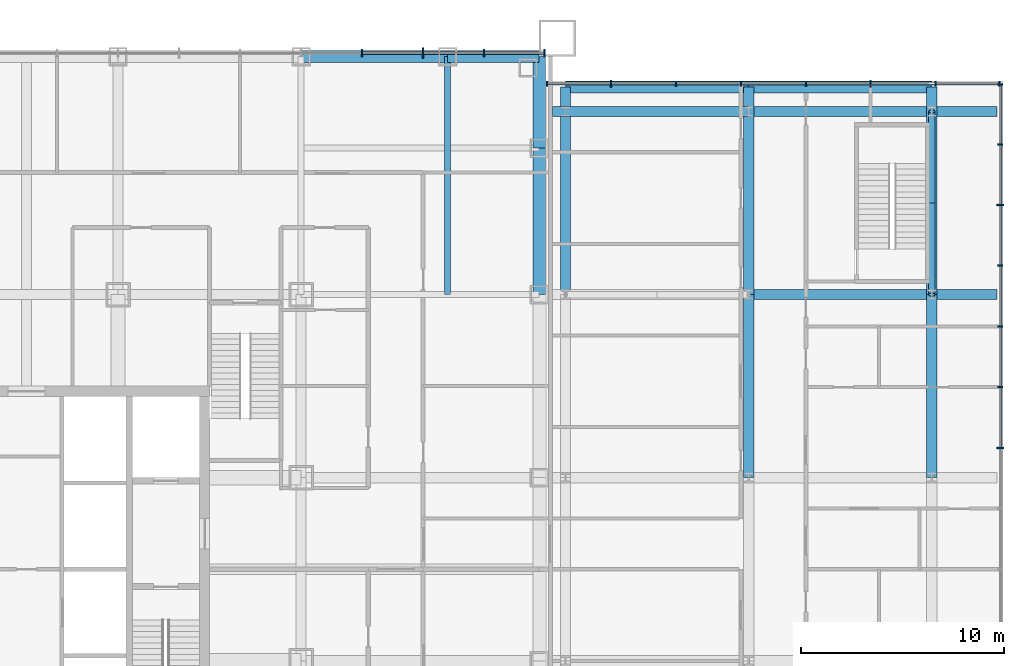
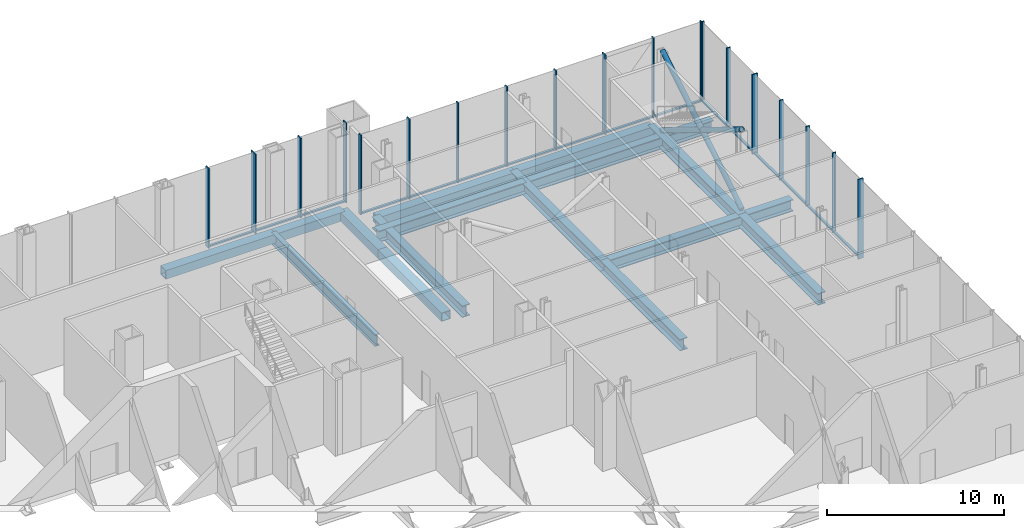
# One storey, part 9 of 25: 37 members, 15 beams, 3 elements without a shape of their own.
"""IFC4 building model written with IfcOpenShell, lengths in metres."""

import ifcopenshell
import ifcopenshell.guid

model = None  # the IFC model being written
_history = None  # IfcOwnerHistory: only IFC2X3 demands one
_inside = {}  # id of a spatial element -> (the spatial element, [elements in it])
_under = {}  # id of a project, library or spatial element -> (it, [spatial elements below it])
_declared = {}  # id of a project -> (the project, [libraries it declares])
_typed = {}  # id of a type object -> (the type object, [elements of that type])
_made_of = {}  # id of a material, layer set ... -> (it, [elements and type objects made of it])


def new_model(schema):
    """Start an empty IFC model of exactly this schema.

    Asked for "IFC4X3", IfcOpenShell would pick the latest addendum, in which some entities
    have other attributes; the version numbers below select the first issue.
    IFC2X3 requires an IfcOwnerHistory on every rooted entity: one is made here for all.
    """
    global model, _history
    if schema == "IFC4X3":
        model = ifcopenshell.file(schema_version=(4, 3, 0, 0))
    else:
        model = ifcopenshell.file(schema=schema)
    _inside.clear()
    _under.clear()
    _declared.clear()
    _typed.clear()
    _made_of.clear()
    _history = None
    if model.schema == "IFC2X3":
        org = make("IfcOrganization", Name="unknown")
        user = make(
            "IfcPersonAndOrganization",
            ThePerson=make("IfcPerson", FamilyName="unknown"),
            TheOrganization=org,
        )
        app = make(
            "IfcApplication",
            ApplicationDeveloper=org,
            Version="unknown",
            ApplicationFullName="unknown",
            ApplicationIdentifier="unknown",
        )
        _history = make(
            "IfcOwnerHistory",
            OwningUser=user,
            OwningApplication=app,
            ChangeAction="ADDED",
            CreationDate=0,
        )
    return model


def make(cls, **values):
    """One entity of the class cls with the attributes given. An attribute that is None is left unset."""
    return model.create_entity(
        cls, **{name: value for name, value in values.items() if value is not None}
    )


def rooted(cls, **values):
    """An entity with a GlobalId (a new one), such as an element, a storey or a relation."""
    return make(cls, GlobalId=ifcopenshell.guid.new(), OwnerHistory=_history, **values)


def si_unit(unit_type, name, prefix=None):
    """IfcSIUnit, for example si_unit("LENGTHUNIT", "METRE", prefix="MILLI")."""
    return make("IfcSIUnit", UnitType=unit_type, Prefix=prefix, Name=name)


def assignment(units):
    """IfcUnitAssignment: the units of a project."""
    return None if units is None else make("IfcUnitAssignment", Units=units)


def point(xyz):
    """IfcCartesianPoint."""
    return None if xyz is None else make("IfcCartesianPoint", Coordinates=xyz)


def direction(xyz):
    """IfcDirection."""
    return None if xyz is None else make("IfcDirection", DirectionRatios=xyz)


def frame(location, z_axis=None, x_axis=None):
    """IfcAxis2Placement3D, a coordinate frame: its origin and axes. An axis left out is left unset."""
    return make(
        "IfcAxis2Placement3D",
        Location=point(location),
        Axis=direction(z_axis),
        RefDirection=direction(x_axis),
    )


def frame_2d(location, x_axis=None):
    """IfcAxis2Placement2D, a coordinate frame in the plane: its origin and x axis."""
    return make(
        "IfcAxis2Placement2D", Location=point(location), RefDirection=direction(x_axis)
    )


def origin():
    """The frame at (0, 0, 0) with its axes left unset."""
    return frame((0.0, 0.0, 0.0))


def origin_2d():
    """The frame at (0, 0) in the plane with its x axis left unset."""
    return frame_2d((0.0, 0.0))


def place(relative_to, where):
    """IfcLocalPlacement: puts the frame where relative to a parent placement (None: the world)."""
    return make(
        "IfcLocalPlacement", PlacementRelTo=relative_to, RelativePlacement=where
    )


def context(
    kind, dimensions, precision=None, world=None, true_north=None, identifier=None
):
    """IfcGeometricRepresentationContext, for example the 3D "Model" context."""
    return make(
        "IfcGeometricRepresentationContext",
        ContextIdentifier=identifier,
        ContextType=kind,
        CoordinateSpaceDimension=dimensions,
        Precision=precision,
        WorldCoordinateSystem=world,
        TrueNorth=true_north,
    )


def subcontext(parent, identifier, kind, view, scale=None):
    """IfcGeometricRepresentationSubContext, for example "Body" below "Model"."""
    return make(
        "IfcGeometricRepresentationSubContext",
        ContextIdentifier=identifier,
        ContextType=kind,
        ParentContext=parent,
        TargetScale=scale,
        TargetView=view,
    )


def project(units=None, contexts=None):
    """IfcProject with its units and contexts."""
    return rooted(
        "IfcProject",
        Name="project",
        RepresentationContexts=contexts,
        UnitsInContext=assignment(units),
    )


def spatial(cls, under=None, at=None, **own):
    """A site, building, storey or space (cls), placed at a placement, below another one or the project."""
    s = rooted(cls, ObjectPlacement=at, **own)
    if under is not None:
        _under.setdefault(under.id(), (under, []))[1].append(s)
    return s


def profile(cls, at=None, kind="AREA", **sizes):
    """A parametric profile (cls). Its sizes go by their IFC names, for example OverallWidth=200.0."""
    return make(cls, ProfileType=kind, Position=at, **sizes)


def rectangle(**sizes):
    """IfcRectangleProfileDef."""
    return profile("IfcRectangleProfileDef", **sizes)


def hollow_rectangle(**sizes):
    """IfcRectangleHollowProfileDef."""
    return profile("IfcRectangleHollowProfileDef", **sizes)


def hollow_circle(**sizes):
    """IfcCircleHollowProfileDef."""
    return profile("IfcCircleHollowProfileDef", **sizes)


def i_section(**sizes):
    """IfcIShapeProfileDef."""
    return profile("IfcIShapeProfileDef", **sizes)


def extrude(swept, where, along, depth):
    """IfcExtrudedAreaSolid: the profile swept, set in the frame where, extruded along a direction by depth."""
    return make(
        "IfcExtrudedAreaSolid",
        SweptArea=swept,
        Position=where,
        ExtrudedDirection=direction(along),
        Depth=depth,
    )


def shape(context_of_items, identifier, shape_type, items):
    """IfcShapeRepresentation: the items that make up one representation, for example the "Body"."""
    return make(
        "IfcShapeRepresentation",
        ContextOfItems=context_of_items,
        RepresentationIdentifier=identifier,
        RepresentationType=shape_type,
        Items=items,
    )


def material(Name=None, Category=None):
    """IfcMaterial."""
    return make("IfcMaterial", Name=Name, Category=Category)


def layer(
    of_material, thickness, ventilated=None, Name=None, Category=None, Priority=None
):
    """IfcMaterialLayer: one layer of a wall or slab, of a material (None: an air gap)."""
    return make(
        "IfcMaterialLayer",
        Material=of_material,
        LayerThickness=thickness,
        IsVentilated=ventilated,
        Name=Name,
        Category=Category,
        Priority=Priority,
    )


def layer_set(layers, Name=None):
    """IfcMaterialLayerSet."""
    return make("IfcMaterialLayerSet", MaterialLayers=layers, LayerSetName=Name)


def material_profile(
    of_material, cross_section, Name=None, Category=None, Priority=None
):
    """IfcMaterialProfile: a cross section and its material."""
    return make(
        "IfcMaterialProfile",
        Name=Name,
        Material=of_material,
        Profile=cross_section,
        Priority=Priority,
        Category=Category,
    )


def profile_set(profiles, Name=None, composite=None):
    """IfcMaterialProfileSet."""
    return make(
        "IfcMaterialProfileSet",
        Name=Name,
        MaterialProfiles=profiles,
        CompositeProfile=composite,
    )


def made_of(thing, what):
    """Note that an element or type object is made of a material, layer set ...; save() writes the relation."""
    if what is not None:
        _made_of.setdefault(what.id(), (what, []))[1].append(thing)
    return thing


def type_object(cls, material=None, **own):
    """A type object (cls), such as IfcWallType, which elements share."""
    return made_of(rooted(cls, **own), material)


def element(
    cls,
    number,
    at=None,
    inside=None,
    cuts=None,
    type_object=None,
    material=None,
    context=None,
    identifier="Body",
    shape_type=None,
    held_by="IfcProductDefinitionShape",
    body=None,
    shapes=None,
    **own,
):
    """One element of the class cls, such as IfcWall. Its Tag is "e" and its number.

    at: its placement. inside: the storey or other place that contains it. cuts: it is an
    opening in that element (IfcRelVoidsElement). A single representation is given by context,
    identifier, shape_type and body (its items); several are given by shapes. held_by: the class
    of the entity that holds the representations. save() writes the other relations.
    """
    e = rooted(cls, Tag="e%d" % number, ObjectPlacement=at, **own)
    if body is not None:
        shapes = [shape(context, identifier, shape_type, body)]
    if shapes is not None:
        e.Representation = make(held_by, Representations=shapes)
    if inside is not None:
        _inside.setdefault(inside.id(), (inside, []))[1].append(e)
    if cuts is not None:
        rooted(
            "IfcRelVoidsElement", RelatingBuildingElement=cuts, RelatedOpeningElement=e
        )
    if type_object is not None:
        _typed.setdefault(type_object.id(), (type_object, []))[1].append(e)
    return made_of(e, material)


def aggregate(whole, parts):
    """IfcRelAggregates: a whole, such as a stair, and the parts it consists of."""
    return rooted("IfcRelAggregates", RelatingObject=whole, RelatedObjects=parts)


def save(model, path):
    """Write the relations noted so far, then the file.

    IfcRelAggregates (storeys below a building ...), IfcRelContainedInSpatialStructure (elements
    in a storey), IfcRelDefinesByType, IfcRelAssociatesMaterial and IfcRelDeclares: one each for
    every whole, place, type object, material and project.
    """
    for whole, parts in _under.values():
        aggregate(whole, parts)
    for where, things in _inside.values():
        rooted(
            "IfcRelContainedInSpatialStructure",
            RelatedElements=things,
            RelatingStructure=where,
        )
    for kind, things in _typed.values():
        rooted("IfcRelDefinesByType", RelatedObjects=things, RelatingType=kind)
    for what, things in _made_of.values():
        rooted("IfcRelAssociatesMaterial", RelatedObjects=things, RelatingMaterial=what)
    for by, libraries in _declared.values():
        rooted("IfcRelDeclares", RelatingContext=by, RelatedDefinitions=libraries)
    model.write(path)


model = new_model("IFC4")

# Units and contexts
model_context = context("Model", 3, precision=1e-05, world=origin(), true_north=direction((0.0, 1.0)))
body_context = subcontext(model_context, "Body", "Model", "MODEL_VIEW")
ifc_project = project(units=[si_unit("LENGTHUNIT", "METRE"), si_unit("AREAUNIT", "SQUARE_METRE"), si_unit("VOLUMEUNIT", "CUBIC_METRE"), si_unit("PLANEANGLEUNIT", "RADIAN"), si_unit("MASSUNIT", "GRAM", prefix="KILO")], contexts=[model_context])

# Site, building, storey
site_placement = place(None, origin())
site = spatial("IfcSite", under=ifc_project, at=site_placement, CompositionType="ELEMENT")
building_placement = place(site_placement, origin())
building = spatial("IfcBuilding", under=site, at=building_placement, Name="Malebo Sky Hospital", CompositionType="ELEMENT")
storey_placement = place(building_placement, frame((0.0, 0.0, 11.0)))
storey = spatial("IfcBuildingStorey", under=building, at=storey_placement, Name="L02", CompositionType="ELEMENT", Elevation=11.0)

# Curtain wall, members
ifc_material_1 = material(Name="Anodised aluminium, natural silver", Category="aluminium")
ifc_layer_1 = layer(ifc_material_1, 0.25)
ifc_layer_set_1 = layer_set([ifc_layer_1], Name="PODIUM ENTRANCE BAY CURTAIN WALL")
curtain_wall_type_1 = type_object("IfcCurtainWallType", Name="PODIUM ENTRANCE BAY CURTAIN WALL", PredefinedType="NOTDEFINED", material=ifc_layer_set_1)
curtain_wall_1_placement = place(storey_placement, origin())
curtain_wall_1 = element("IfcCurtainWall", 1, at=curtain_wall_1_placement, inside=storey, type_object=curtain_wall_type_1, Name="BAY curtain wall BN", PredefinedType="NOTDEFINED")
ifc_material_profile_1 = material_profile(ifc_material_1, rectangle(XDim=0.14990234375, YDim=0.10009765625, at=origin_2d()), Name="ALUMINIUM TRANSOM 150x100")
ifc_profile_set_1 = profile_set([ifc_material_profile_1], Name="Anodised aluminium, natural silver")
member_type_1 = type_object("IfcMemberType", Name="ALUMINIUM TRANSOM 150x100", PredefinedType="USERDEFINED", material=ifc_profile_set_1)
member_1_placement = place(storey_placement, frame((85.425048828125, 87.375, 0.050048828125), z_axis=(-1.0, 0.0, 0.0), x_axis=(0.0, -1.0, 0.0)))
member_1 = element("IfcMember", 2, at=member_1_placement, type_object=member_type_1, Name="Transom 1", ObjectType="TRANSOM", PredefinedType="USERDEFINED", context=body_context, shape_type="SweptSolid", body=[
    extrude(rectangle(XDim=0.14990234375, YDim=0.10009765625, at=origin_2d()), origin(), (0.0, 0.0, 1.0), 2.887451171875),
])
member_2_placement = place(storey_placement, frame((82.46240234375, 87.375, 0.050048828125), z_axis=(-1.0, 0.0, 0.0), x_axis=(0.0, -1.0, 0.0)))
member_2 = element("IfcMember", 3, at=member_2_placement, type_object=member_type_1, Name="Transom 2", ObjectType="TRANSOM", PredefinedType="USERDEFINED", context=body_context, shape_type="SweptSolid", body=[
    extrude(rectangle(XDim=0.14990234375, YDim=0.10009765625, at=origin_2d()), origin(), (0.0, 0.0, 1.0), 2.9248046875),
])
member_3_placement = place(storey_placement, frame((79.46240234375, 87.375, 0.050048828125), z_axis=(-1.0, 0.0, 0.0), x_axis=(0.0, -1.0, 0.0)))
member_3 = element("IfcMember", 4, at=member_3_placement, type_object=member_type_1, Name="Transom 3", ObjectType="TRANSOM", PredefinedType="USERDEFINED", context=body_context, shape_type="SweptSolid", body=[
    extrude(rectangle(XDim=0.14990234375, YDim=0.10009765625, at=origin_2d()), origin(), (0.0, 0.0, 1.0), 2.9248046875),
])

ifc_layer_2 = layer(ifc_material_1, 0.25)
ifc_layer_set_2 = layer_set([ifc_layer_2], Name="PODIUM CURTAIN WALL")
curtain_wall_type_2 = type_object("IfcCurtainWallType", Name="PODIUM CURTAIN WALL", PredefinedType="NOTDEFINED", material=ifc_layer_set_2)
curtain_wall_2_placement = place(storey_placement, origin())
curtain_wall_2 = element("IfcCurtainWall", 5, at=curtain_wall_2_placement, inside=storey, type_object=curtain_wall_type_2, Name="POD curtain wall EE", PredefinedType="NOTDEFINED")
member_4_placement = place(storey_placement, frame((107.875, 68.00634765625, 0.050048828125), z_axis=(0.0, 1.0, 0.0), x_axis=(-1.0, 0.0, 0.0)))
member_4 = element("IfcMember", 6, at=member_4_placement, type_object=member_type_1, Name="Transom 11", ObjectType="TRANSOM", PredefinedType="USERDEFINED", context=body_context, shape_type="SweptSolid", body=[
    extrude(rectangle(XDim=0.14990234375, YDim=0.10009765625, at=origin_2d()), origin(), (0.0, 0.0, 1.0), 2.9091796875),
])
member_5_placement = place(storey_placement, frame((107.875, 70.990478515625, 0.050048828125), z_axis=(0.0, 1.0, 0.0), x_axis=(-1.0, 0.0, 0.0)))
member_5 = element("IfcMember", 7, at=member_5_placement, type_object=member_type_1, Name="Transom 12", ObjectType="TRANSOM", PredefinedType="USERDEFINED", context=body_context, shape_type="SweptSolid", body=[
    extrude(rectangle(XDim=0.14990234375, YDim=0.10009765625, at=origin_2d()), origin(), (0.0, 0.0, 1.0), 2.909423828125),
])
member_6_placement = place(storey_placement, frame((107.875, 73.97509765625, 0.050048828125), z_axis=(0.0, 1.0, 0.0), x_axis=(-1.0, 0.0, 0.0)))
member_6 = element("IfcMember", 8, at=member_6_placement, type_object=member_type_1, Name="Transom 13", ObjectType="TRANSOM", PredefinedType="USERDEFINED", context=body_context, shape_type="SweptSolid", body=[
    extrude(rectangle(XDim=0.14990234375, YDim=0.10009765625, at=origin_2d()), origin(), (0.0, 0.0, 1.0), 2.909423828125),
])
member_7_placement = place(storey_placement, frame((107.875, 76.95947265625, 0.050048828125), z_axis=(0.0, 1.0, 0.0), x_axis=(-1.0, 0.0, 0.0)))
member_7 = element("IfcMember", 9, at=member_7_placement, type_object=member_type_1, Name="Transom 14", ObjectType="TRANSOM", PredefinedType="USERDEFINED", context=body_context, shape_type="SweptSolid", body=[
    extrude(rectangle(XDim=0.14990234375, YDim=0.10009765625, at=origin_2d()), origin(), (0.0, 0.0, 1.0), 2.9091796875),
])
member_8_placement = place(storey_placement, frame((107.875, 79.943603515625, 0.050048828125), z_axis=(0.0, 1.0, 0.0), x_axis=(-1.0, 0.0, 0.0)))
member_8 = element("IfcMember", 10, at=member_8_placement, type_object=member_type_1, Name="Transom 15", ObjectType="TRANSOM", PredefinedType="USERDEFINED", context=body_context, shape_type="SweptSolid", body=[
    extrude(rectangle(XDim=0.14990234375, YDim=0.10009765625, at=origin_2d()), origin(), (0.0, 0.0, 1.0), 2.909423828125),
])
member_9_placement = place(storey_placement, frame((107.875, 82.927978515625, 0.050048828125), z_axis=(0.0, 1.0, 0.0), x_axis=(-1.0, 0.0, 0.0)))
member_9 = element("IfcMember", 11, at=member_9_placement, type_object=member_type_1, Name="Transom 16", ObjectType="TRANSOM", PredefinedType="USERDEFINED", context=body_context, shape_type="SweptSolid", body=[
    extrude(rectangle(XDim=0.14990234375, YDim=0.10009765625, at=origin_2d()), origin(), (0.0, 0.0, 1.0), 2.8720703125),
])

curtain_wall_3_placement = place(storey_placement, origin())
curtain_wall_3 = element("IfcCurtainWall", 12, at=curtain_wall_3_placement, inside=storey, type_object=curtain_wall_type_2, Name="POD curtain wall EN", PredefinedType="NOTDEFINED")
member_10_placement = place(storey_placement, frame((107.800048828125, 85.875, 0.050048828125), z_axis=(-1.0, 0.0, 0.0), x_axis=(0.0, -1.0, 0.0)))
member_10 = element("IfcMember", 13, at=member_10_placement, type_object=member_type_1, Name="Transom 1", ObjectType="TRANSOM", PredefinedType="USERDEFINED", context=body_context, shape_type="SweptSolid", body=[
    extrude(rectangle(XDim=0.14990234375, YDim=0.10009765625, at=origin_2d()), origin(), (0.0, 0.0, 1.0), 3.076904296875),
])
member_11_placement = place(storey_placement, frame((104.648193359375, 85.875, 0.050048828125), z_axis=(-1.0, 0.0, 0.0), x_axis=(0.0, -1.0, 0.0)))
member_11 = element("IfcMember", 14, at=member_11_placement, type_object=member_type_1, Name="Transom 2", ObjectType="TRANSOM", PredefinedType="USERDEFINED", context=body_context, shape_type="SweptSolid", body=[
    extrude(rectangle(XDim=0.14990234375, YDim=0.10009765625, at=origin_2d()), origin(), (0.0, 0.0, 1.0), 3.1142578125),
])
member_12_placement = place(storey_placement, frame((101.458984375, 85.875, 0.050048828125), z_axis=(-1.0, 0.0, 0.0), x_axis=(0.0, -1.0, 0.0)))
member_12 = element("IfcMember", 15, at=member_12_placement, type_object=member_type_1, Name="Transom 3", ObjectType="TRANSOM", PredefinedType="USERDEFINED", context=body_context, shape_type="SweptSolid", body=[
    extrude(rectangle(XDim=0.14990234375, YDim=0.10009765625, at=origin_2d()), origin(), (0.0, 0.0, 1.0), 3.114501953125),
])
member_13_placement = place(storey_placement, frame((98.26953125, 85.875, 0.050048828125), z_axis=(-1.0, 0.0, 0.0), x_axis=(0.0, -1.0, 0.0)))
member_13 = element("IfcMember", 16, at=member_13_placement, type_object=member_type_1, Name="Transom 4", ObjectType="TRANSOM", PredefinedType="USERDEFINED", context=body_context, shape_type="SweptSolid", body=[
    extrude(rectangle(XDim=0.14990234375, YDim=0.10009765625, at=origin_2d()), origin(), (0.0, 0.0, 1.0), 3.114013671875),
])
member_14_placement = place(storey_placement, frame((95.080322265625, 85.875, 0.050048828125), z_axis=(-1.0, 0.0, 0.0), x_axis=(0.0, -1.0, 0.0)))
member_14 = element("IfcMember", 17, at=member_14_placement, type_object=member_type_1, Name="Transom 5", ObjectType="TRANSOM", PredefinedType="USERDEFINED", context=body_context, shape_type="SweptSolid", body=[
    extrude(rectangle(XDim=0.14990234375, YDim=0.10009765625, at=origin_2d()), origin(), (0.0, 0.0, 1.0), 3.1142578125),
])
member_15_placement = place(storey_placement, frame((91.89111328125, 85.875, 0.050048828125), z_axis=(-1.0, 0.0, 0.0), x_axis=(0.0, -1.0, 0.0)))
member_15 = element("IfcMember", 18, at=member_15_placement, type_object=member_type_1, Name="Transom 6", ObjectType="TRANSOM", PredefinedType="USERDEFINED", context=body_context, shape_type="SweptSolid", body=[
    extrude(rectangle(XDim=0.14990234375, YDim=0.10009765625, at=origin_2d()), origin(), (0.0, 0.0, 1.0), 3.1142578125),
])
member_16_placement = place(storey_placement, frame((88.701904296875, 85.875, 0.050048828125), z_axis=(-1.0, 0.0, 0.0), x_axis=(0.0, -1.0, 0.0)))
member_16 = element("IfcMember", 19, at=member_16_placement, type_object=member_type_1, Name="Transom 7", ObjectType="TRANSOM", PredefinedType="USERDEFINED", context=body_context, shape_type="SweptSolid", body=[
    extrude(rectangle(XDim=0.14990234375, YDim=0.10009765625, at=origin_2d()), origin(), (0.0, 0.0, 1.0), 3.076904296875),
])

# Member
ifc_material_profile_2 = material_profile(ifc_material_1, rectangle(XDim=0.074951171875, YDim=0.25, at=origin_2d()), Name="CW3 ALUMINIUM FIN MULLION 75x250")
ifc_profile_set_2 = profile_set([ifc_material_profile_2], Name="Anodised aluminium, natural silver")
member_type_2 = type_object("IfcMemberType", Name="CW3 ALUMINIUM FIN MULLION 75x250", PredefinedType="MULLION", material=ifc_profile_set_2)
member_17_placement = place(storey_placement, frame((107.875, 70.953125, 0.0), z_axis=(0.0, 0.0, 1.0), x_axis=(0.0, 1.0, 0.0)))
member_17 = element("IfcMember", 20, at=member_17_placement, type_object=member_type_2, Name="Fin mullion 12", PredefinedType="MULLION", context=body_context, shape_type="SweptSolid", body=[
    extrude(rectangle(XDim=0.074951171875, YDim=0.25, at=origin_2d()), origin(), (0.0, 0.0, 1.0), 5.5),
])

member_18_placement = place(storey_placement, frame((107.875, 73.9375, 0.0), z_axis=(0.0, 0.0, 1.0), x_axis=(0.0, 1.0, 0.0)))
member_18 = element("IfcMember", 21, at=member_18_placement, type_object=member_type_2, Name="Fin mullion 13", PredefinedType="MULLION", context=body_context, shape_type="SweptSolid", body=[
    extrude(rectangle(XDim=0.074951171875, YDim=0.25, at=origin_2d()), origin(), (0.0, 0.0, 1.0), 5.5),
])

member_19_placement = place(storey_placement, frame((107.875, 76.921875, 0.0), z_axis=(0.0, 0.0, 1.0), x_axis=(0.0, 1.0, 0.0)))
member_19 = element("IfcMember", 22, at=member_19_placement, type_object=member_type_2, Name="Fin mullion 14", PredefinedType="MULLION", context=body_context, shape_type="SweptSolid", body=[
    extrude(rectangle(XDim=0.074951171875, YDim=0.25, at=origin_2d()), origin(), (0.0, 0.0, 1.0), 5.5),
])

member_20_placement = place(storey_placement, frame((107.875, 82.890625, 0.0), z_axis=(0.0, 0.0, 1.0), x_axis=(0.0, 1.0, 0.0)))
member_20 = element("IfcMember", 23, at=member_20_placement, type_object=member_type_2, Name="Fin mullion 16", PredefinedType="MULLION", context=body_context, shape_type="SweptSolid", body=[
    extrude(rectangle(XDim=0.074951171875, YDim=0.25, at=origin_2d()), origin(), (0.0, 0.0, 1.0), 5.5),
])

member_21_placement = place(storey_placement, frame((107.875, 85.83740234375, 0.0), z_axis=(0.0, 0.0, 1.0), x_axis=(0.0, 1.0, 0.0)))
member_21 = element("IfcMember", 24, at=member_21_placement, type_object=member_type_2, Name="Fin mullion 17", PredefinedType="MULLION", context=body_context, shape_type="SweptSolid", body=[
    extrude(rectangle(XDim=0.074951171875, YDim=0.25, at=origin_2d()), origin(), (0.0, 0.0, 1.0), 5.5),
])

member_22_placement = place(storey_placement, frame((107.83740234375, 85.875, 0.0), z_axis=(0.0, 0.0, 1.0), x_axis=(-1.0, 0.0, 0.0)))
member_22 = element("IfcMember", 25, at=member_22_placement, type_object=member_type_2, Name="Fin mullion 1", PredefinedType="MULLION", context=body_context, shape_type="SweptSolid", body=[
    extrude(rectangle(XDim=0.074951171875, YDim=0.25, at=origin_2d()), origin(), (0.0, 0.0, 1.0), 5.5),
])

member_23_placement = place(storey_placement, frame((104.685791015625, 85.875, 0.0), z_axis=(0.0, 0.0, 1.0), x_axis=(-1.0, 0.0, 0.0)))
member_23 = element("IfcMember", 26, at=member_23_placement, type_object=member_type_2, Name="Fin mullion 2", PredefinedType="MULLION", context=body_context, shape_type="SweptSolid", body=[
    extrude(rectangle(XDim=0.074951171875, YDim=0.25, at=origin_2d()), origin(), (0.0, 0.0, 1.0), 5.5),
])

member_24_placement = place(storey_placement, frame((98.30712890625, 85.875, 0.0), z_axis=(0.0, 0.0, 1.0), x_axis=(-1.0, 0.0, 0.0)))
member_24 = element("IfcMember", 27, at=member_24_placement, type_object=member_type_2, Name="Fin mullion 4", PredefinedType="MULLION", context=body_context, shape_type="SweptSolid", body=[
    extrude(rectangle(XDim=0.074951171875, YDim=0.25, at=origin_2d()), origin(), (0.0, 0.0, 1.0), 5.5),
])

member_25_placement = place(storey_placement, frame((95.117919921875, 85.875, 0.0), z_axis=(0.0, 0.0, 1.0), x_axis=(-1.0, 0.0, 0.0)))
member_25 = element("IfcMember", 28, at=member_25_placement, type_object=member_type_2, Name="Fin mullion 5", PredefinedType="MULLION", context=body_context, shape_type="SweptSolid", body=[
    extrude(rectangle(XDim=0.074951171875, YDim=0.25, at=origin_2d()), origin(), (0.0, 0.0, 1.0), 5.5),
])

member_26_placement = place(storey_placement, frame((91.9287109375, 85.875, 0.0), z_axis=(0.0, 0.0, 1.0), x_axis=(-1.0, 0.0, 0.0)))
member_26 = element("IfcMember", 29, at=member_26_placement, type_object=member_type_2, Name="Fin mullion 6", PredefinedType="MULLION", context=body_context, shape_type="SweptSolid", body=[
    extrude(rectangle(XDim=0.074951171875, YDim=0.25, at=origin_2d()), origin(), (0.0, 0.0, 1.0), 5.5),
])

member_27_placement = place(storey_placement, frame((85.58740234375, 85.875, 0.0), z_axis=(0.0, 0.0, 1.0), x_axis=(-1.0, 0.0, 0.0)))
member_27 = element("IfcMember", 30, at=member_27_placement, type_object=member_type_2, Name="Fin mullion 8", PredefinedType="MULLION", context=body_context, shape_type="SweptSolid", body=[
    extrude(rectangle(XDim=0.074951171875, YDim=0.25, at=origin_2d()), origin(), (0.0, 0.0, 1.0), 5.5),
])

ifc_material_profile_3 = material_profile(ifc_material_1, rectangle(XDim=0.074951171875, YDim=0.35009765625, at=origin_2d()), Name="CW3 ALUMINIUM FIN MULLION 75x350")
ifc_profile_set_3 = profile_set([ifc_material_profile_3], Name="Anodised aluminium, natural silver")
member_type_3 = type_object("IfcMemberType", Name="CW3 ALUMINIUM FIN MULLION 75x350", PredefinedType="MULLION", material=ifc_profile_set_3)
member_28_placement = place(storey_placement, frame((107.875, 67.96875, 0.0), z_axis=(0.0, 0.0, 1.0), x_axis=(0.0, 1.0, 0.0)))
member_28 = element("IfcMember", 31, at=member_28_placement, type_object=member_type_3, Name="Fin mullion 11", PredefinedType="MULLION", context=body_context, shape_type="SweptSolid", body=[
    extrude(rectangle(XDim=0.074951171875, YDim=0.35009765625, at=origin_2d()), origin(), (0.0, 0.0, 1.0), 5.5),
])

member_29_placement = place(storey_placement, frame((107.875, 79.90625, 0.0), z_axis=(0.0, 0.0, 1.0), x_axis=(0.0, 1.0, 0.0)))
member_29 = element("IfcMember", 32, at=member_29_placement, type_object=member_type_3, Name="Fin mullion 15", PredefinedType="MULLION", context=body_context, shape_type="SweptSolid", body=[
    extrude(rectangle(XDim=0.074951171875, YDim=0.35009765625, at=origin_2d()), origin(), (0.0, 0.0, 1.0), 5.5),
])

aggregate(curtain_wall_2, [member_28, member_17, member_18, member_19, member_29, member_20, member_21, member_4, member_5, member_6, member_7, member_8, member_9])

member_30_placement = place(storey_placement, frame((101.496337890625, 85.875, 0.0), z_axis=(0.0, 0.0, 1.0), x_axis=(-1.0, 0.0, 0.0)))
member_30 = element("IfcMember", 33, at=member_30_placement, type_object=member_type_3, Name="Fin mullion 3", PredefinedType="MULLION", context=body_context, shape_type="SweptSolid", body=[
    extrude(rectangle(XDim=0.074951171875, YDim=0.35009765625, at=origin_2d()), origin(), (0.0, 0.0, 1.0), 5.5),
])

member_31_placement = place(storey_placement, frame((88.7392578125, 85.875, 0.0), z_axis=(0.0, 0.0, 1.0), x_axis=(-1.0, 0.0, 0.0)))
member_31 = element("IfcMember", 34, at=member_31_placement, type_object=member_type_3, Name="Fin mullion 7", PredefinedType="MULLION", context=body_context, shape_type="SweptSolid", body=[
    extrude(rectangle(XDim=0.074951171875, YDim=0.35009765625, at=origin_2d()), origin(), (0.0, 0.0, 1.0), 5.5),
])

aggregate(curtain_wall_3, [member_22, member_23, member_30, member_24, member_25, member_26, member_31, member_27, member_10, member_11, member_12, member_13, member_14, member_15, member_16])

ifc_material_profile_4 = material_profile(ifc_material_1, rectangle(XDim=0.074951171875, YDim=0.35009765625, at=origin_2d()), Name="CW4 ALUMINIUM FIN MULLION 75x350")
ifc_profile_set_4 = profile_set([ifc_material_profile_4], Name="Anodised aluminium, natural silver")
member_type_4 = type_object("IfcMemberType", Name="CW4 ALUMINIUM FIN MULLION 75x350", PredefinedType="MULLION", material=ifc_profile_set_4)
member_32_placement = place(storey_placement, frame((85.46240234375, 87.375, 0.0), z_axis=(0.0, 0.0, 1.0), x_axis=(-1.0, 0.0, 0.0)))
member_32 = element("IfcMember", 35, at=member_32_placement, type_object=member_type_4, Name="Fin mullion 1", PredefinedType="MULLION", context=body_context, shape_type="SweptSolid", body=[
    extrude(rectangle(XDim=0.074951171875, YDim=0.35009765625, at=origin_2d()), origin(), (0.0, 0.0, 1.0), 5.5),
])

member_33_placement = place(storey_placement, frame((82.5, 87.375, 0.0), z_axis=(0.0, 0.0, 1.0), x_axis=(-1.0, 0.0, 0.0)))
member_33 = element("IfcMember", 36, at=member_33_placement, type_object=member_type_4, Name="Fin mullion 2", PredefinedType="MULLION", context=body_context, shape_type="SweptSolid", body=[
    extrude(rectangle(XDim=0.074951171875, YDim=0.35009765625, at=origin_2d()), origin(), (0.0, 0.0, 1.0), 5.5),
])

member_34_placement = place(storey_placement, frame((76.5, 87.375, 0.0), z_axis=(0.0, 0.0, 1.0), x_axis=(-1.0, 0.0, 0.0)))
member_34 = element("IfcMember", 37, at=member_34_placement, type_object=member_type_4, Name="Fin mullion 4", PredefinedType="MULLION", context=body_context, shape_type="SweptSolid", body=[
    extrude(rectangle(XDim=0.074951171875, YDim=0.35009765625, at=origin_2d()), origin(), (0.0, 0.0, 1.0), 5.5),
])

ifc_material_profile_5 = material_profile(ifc_material_1, rectangle(XDim=0.074951171875, YDim=0.5, at=origin_2d()), Name="CW4 ALUMINIUM FIN MULLION 75x500")
ifc_profile_set_5 = profile_set([ifc_material_profile_5], Name="Anodised aluminium, natural silver")
member_type_5 = type_object("IfcMemberType", Name="CW4 ALUMINIUM FIN MULLION 75x500", PredefinedType="MULLION", material=ifc_profile_set_5)
member_35_placement = place(storey_placement, frame((79.5, 87.375, 0.0), z_axis=(0.0, 0.0, 1.0), x_axis=(-1.0, 0.0, 0.0)))
member_35 = element("IfcMember", 38, at=member_35_placement, type_object=member_type_5, Name="Fin mullion 3", PredefinedType="MULLION", context=body_context, shape_type="SweptSolid", body=[
    extrude(rectangle(XDim=0.074951171875, YDim=0.5, at=origin_2d()), origin(), (0.0, 0.0, 1.0), 5.5),
])

aggregate(curtain_wall_1, [member_32, member_33, member_35, member_34, member_1, member_2, member_3])

# Beams
ifc_material_2 = material(Name="Steel S460", Category="steel")
ifc_material_profile_6 = material_profile(ifc_material_2, hollow_rectangle(XDim=0.60009765625, YDim=0.60009765625, WallThickness=0.0400390625, at=origin_2d()), Name="BOX 600x600x40")
ifc_profile_set_6 = profile_set([ifc_material_profile_6], Name="Steel S460")
beam_type_1 = type_object("IfcBeamType", Name="EDGE BEAM BOX 600x600x40", PredefinedType="BEAM", material=ifc_profile_set_6)
beam_1_placement = place(storey_placement, frame((85.199951171875, 75.5, -0.60009765625), z_axis=(0.0, 1.0, 0.0), x_axis=(-1.0, 0.0, 0.0)))
element("IfcBeam", 39, at=beam_1_placement, inside=storey, type_object=beam_type_1, Name="Beam 036 L02", PredefinedType="BEAM", context=body_context, shape_type="SweptSolid", body=[
    extrude(hollow_rectangle(XDim=0.60009765625, YDim=0.60009765625, WallThickness=0.0400390625, at=origin_2d()), origin(), (0.0, 0.0, 1.0), 7.199951171875),
])
beam_2_placement = place(storey_placement, frame((85.199951171875, 82.699951171875, -0.60009765625), z_axis=(0.0, 1.0, 0.0), x_axis=(-1.0, 0.0, 0.0)))
element("IfcBeam", 40, at=beam_2_placement, inside=storey, type_object=beam_type_1, Name="Beam 037 L02", PredefinedType="BEAM", context=body_context, shape_type="SweptSolid", body=[
    extrude(hollow_rectangle(XDim=0.60009765625, YDim=0.60009765625, WallThickness=0.0400390625, at=origin_2d()), origin(), (0.0, 0.0, 1.0), 4.5),
])
beam_3_placement = place(storey_placement, frame((73.5, 87.199951171875, -0.60009765625), z_axis=(1.0, 0.0, 0.0), x_axis=(0.0, 1.0, 0.0)))
element("IfcBeam", 41, at=beam_3_placement, inside=storey, type_object=beam_type_1, Name="Beam 074 L02", PredefinedType="BEAM", context=body_context, shape_type="SweptSolid", body=[
    extrude(hollow_rectangle(XDim=0.60009765625, YDim=0.60009765625, WallThickness=0.0400390625, at=origin_2d()), origin(), (0.0, 0.0, 1.0), 7.199951171875),
])
beam_4_placement = place(storey_placement, frame((80.699951171875, 87.199951171875, -0.60009765625), z_axis=(1.0, 0.0, 0.0), x_axis=(0.0, 1.0, 0.0)))
element("IfcBeam", 42, at=beam_4_placement, inside=storey, type_object=beam_type_1, Name="Beam 075 L02", PredefinedType="BEAM", context=body_context, shape_type="SweptSolid", body=[
    extrude(hollow_rectangle(XDim=0.60009765625, YDim=0.60009765625, WallThickness=0.0400390625, at=origin_2d()), origin(), (0.0, 0.0, 1.0), 4.5),
])
for number, where, z_axis, x_axis, name in (
    (43, (86.5, 85.699951171875, -0.60009765625), (1.0, 0.0, 0.0), (0.0, 1.0, 0.0), "Beam E030 L02"),
    (44, (95.5, 85.699951171875, -0.60009765625), (1.0, 0.0, 0.0), (0.0, 1.0, 0.0), "Beam E031 L02"),
):
    element("IfcBeam", number, at=place(storey_placement, frame(where, z_axis=z_axis, x_axis=x_axis)), inside=storey, type_object=beam_type_1, Name=name, PredefinedType="BEAM", context=body_context, shape_type="SweptSolid", body=[
        extrude(hollow_rectangle(XDim=0.60009765625, YDim=0.60009765625, WallThickness=0.0400390625, at=origin_2d()), origin(), (0.0, 0.0, 1.0), 9.0),
    ])
ifc_material_3 = material(Name="Steel S355", Category="steel")
ifc_material_profile_7 = material_profile(ifc_material_3, i_section(OverallWidth=0.300048828125, OverallDepth=0.800048828125, WebThickness=0.017578125, FlangeThickness=0.032958984375, FilletRadius=0.030029296875, at=origin_2d()), Name="HEB 800")
ifc_profile_set_7 = profile_set([ifc_material_profile_7], Name="Steel S355")
beam_type_2 = type_object("IfcBeamType", Name="FLOOR BEAM HEB 800", PredefinedType="BEAM", material=ifc_profile_set_7)
beam_5_placement = place(storey_placement, frame((80.699951171875, 75.5, -0.699951171875), z_axis=(0.0, 1.0, 0.0), x_axis=(-1.0, 0.0, 0.0)))
element("IfcBeam", 45, at=beam_5_placement, inside=storey, type_object=beam_type_2, Name="Beam 030 L02", PredefinedType="BEAM", context=body_context, shape_type="SweptSolid", body=[
    extrude(i_section(OverallWidth=0.300048828125, OverallDepth=0.800048828125, WebThickness=0.017578125, FlangeThickness=0.032958984375, FilletRadius=0.030029296875, at=origin_2d()), origin(), (0.0, 0.0, 1.0), 11.699951171875),
])
ifc_material_profile_8 = material_profile(ifc_material_3, i_section(OverallWidth=0.5, OverallDepth=0.800048828125, WebThickness=0.030029296875, FlangeThickness=0.050048828125, at=origin_2d()), Name="PG 800x500x30x50")
ifc_profile_set_8 = profile_set([ifc_material_profile_8], Name="Steel S355")
beam_type_3 = type_object("IfcBeamType", Name="FLOOR BEAM PG 800x500x30x50", PredefinedType="BEAM", material=ifc_profile_set_8)
beam_6_placement = place(storey_placement, frame((86.5, 75.5, -0.699951171875), z_axis=(0.0, 1.0, 0.0), x_axis=(-1.0, 0.0, 0.0)))
element("IfcBeam", 46, at=beam_6_placement, inside=storey, type_object=beam_type_3, Name="Beam E005 L02", PredefinedType="BEAM", context=body_context, shape_type="SweptSolid", body=[
    extrude(i_section(OverallWidth=0.5, OverallDepth=0.800048828125, WebThickness=0.030029296875, FlangeThickness=0.050048828125, at=origin_2d()), origin(), (0.0, 0.0, 1.0), 10.199951171875),
])
beam_7_placement = place(storey_placement, frame((95.5, 66.5, -0.699951171875), z_axis=(0.0, 1.0, 0.0), x_axis=(-1.0, 0.0, 0.0)))
element("IfcBeam", 47, at=beam_7_placement, inside=storey, type_object=beam_type_3, Name="Beam E009 L02", PredefinedType="BEAM", context=body_context, shape_type="SweptSolid", body=[
    extrude(i_section(OverallWidth=0.5, OverallDepth=0.800048828125, WebThickness=0.030029296875, FlangeThickness=0.050048828125, at=origin_2d()), origin(), (0.0, 0.0, 1.0), 9.0),
])
beam_8_placement = place(storey_placement, frame((95.5, 75.5, -0.699951171875), z_axis=(0.0, 1.0, 0.0), x_axis=(-1.0, 0.0, 0.0)))
element("IfcBeam", 48, at=beam_8_placement, inside=storey, type_object=beam_type_3, Name="Beam E010 L02", PredefinedType="BEAM", context=body_context, shape_type="SweptSolid", body=[
    extrude(i_section(OverallWidth=0.5, OverallDepth=0.800048828125, WebThickness=0.030029296875, FlangeThickness=0.050048828125, at=origin_2d()), origin(), (0.0, 0.0, 1.0), 10.199951171875),
])
beam_9_placement = place(storey_placement, frame((104.5, 66.5, -0.699951171875), z_axis=(0.0, 1.0, 0.0), x_axis=(-1.0, 0.0, 0.0)))
element("IfcBeam", 49, at=beam_9_placement, inside=storey, type_object=beam_type_3, Name="Beam E014 L02", PredefinedType="BEAM", context=body_context, shape_type="SweptSolid", body=[
    extrude(i_section(OverallWidth=0.5, OverallDepth=0.800048828125, WebThickness=0.030029296875, FlangeThickness=0.050048828125, at=origin_2d()), origin(), (0.0, 0.0, 1.0), 9.0),
])
beam_10_placement = place(storey_placement, frame((104.5, 75.5, -0.699951171875), z_axis=(0.0, 1.0, 0.0), x_axis=(-1.0, 0.0, 0.0)))
element("IfcBeam", 50, at=beam_10_placement, inside=storey, type_object=beam_type_3, Name="Beam E015 L02", PredefinedType="BEAM", context=body_context, shape_type="SweptSolid", body=[
    extrude(i_section(OverallWidth=0.5, OverallDepth=0.800048828125, WebThickness=0.030029296875, FlangeThickness=0.050048828125, at=origin_2d()), origin(), (0.0, 0.0, 1.0), 10.199951171875),
])
beam_11_placement = place(storey_placement, frame((95.5, 75.5, -0.699951171875), z_axis=(1.0, 0.0, 0.0), x_axis=(0.0, 1.0, 0.0)))
element("IfcBeam", 51, at=beam_11_placement, inside=storey, type_object=beam_type_3, Name="Beam E025 L02", PredefinedType="BEAM", context=body_context, shape_type="SweptSolid", body=[
    extrude(i_section(OverallWidth=0.5, OverallDepth=0.800048828125, WebThickness=0.030029296875, FlangeThickness=0.050048828125, at=origin_2d()), origin(), (0.0, 0.0, 1.0), 12.199951171875),
])
beam_12_placement = place(storey_placement, frame((85.85009765625, 84.5, -0.699951171875), z_axis=(1.0, 0.0, 0.0), x_axis=(0.0, 1.0, 0.0)))
element("IfcBeam", 52, at=beam_12_placement, inside=storey, type_object=beam_type_3, Name="Beam E026 L02", PredefinedType="BEAM", context=body_context, shape_type="SweptSolid", body=[
    extrude(i_section(OverallWidth=0.5, OverallDepth=0.800048828125, WebThickness=0.030029296875, FlangeThickness=0.050048828125, at=origin_2d()), origin(), (0.0, 0.0, 1.0), 9.64990234375),
])
beam_13_placement = place(storey_placement, frame((95.5, 84.5, -0.699951171875), z_axis=(1.0, 0.0, 0.0), x_axis=(0.0, 1.0, 0.0)))
element("IfcBeam", 53, at=beam_13_placement, inside=storey, type_object=beam_type_3, Name="Beam E027 L02", PredefinedType="BEAM", context=body_context, shape_type="SweptSolid", body=[
    extrude(i_section(OverallWidth=0.5, OverallDepth=0.800048828125, WebThickness=0.030029296875, FlangeThickness=0.050048828125, at=origin_2d()), origin(), (0.0, 0.0, 1.0), 12.199951171875),
])

# Members
ifc_material_profile_9 = material_profile(ifc_material_2, hollow_circle(Radius=0.161865234375, WallThickness=0.012451171875, at=origin_2d()), Name="CHS 323.9x12.5")
ifc_profile_set_9 = profile_set([ifc_material_profile_9], Name="Steel S460")
member_type_6 = type_object("IfcMemberType", Name="WING BRACE CHS 323.9x12.5", PredefinedType="BRACE", material=ifc_profile_set_9)
for number, where, z_axis, x_axis, name in (
    (54, (104.5, 75.5, 0.0), (0.0, 0.853281833652, 0.521450009454), (-1.0, 0.0, 0.0), "Wing brace E1.1 L02"),
    (55, (104.5, 84.5, 0.0), (0.0, -0.853281833652, 0.521450009454), (1.0, 0.0, 0.0), "Wing brace E1.2 L02"),
):
    element("IfcMember", number, at=place(storey_placement, frame(where, z_axis=z_axis, x_axis=x_axis)), inside=storey, type_object=member_type_6, Name=name, PredefinedType="BRACE", context=body_context, shape_type="SweptSolid", body=[
        extrude(hollow_circle(Radius=0.161865234375, WallThickness=0.012451171875, at=origin_2d()), origin(), (0.0, 0.0, 1.0), 10.547607421875),
    ])

save(model, "model.ifc")
